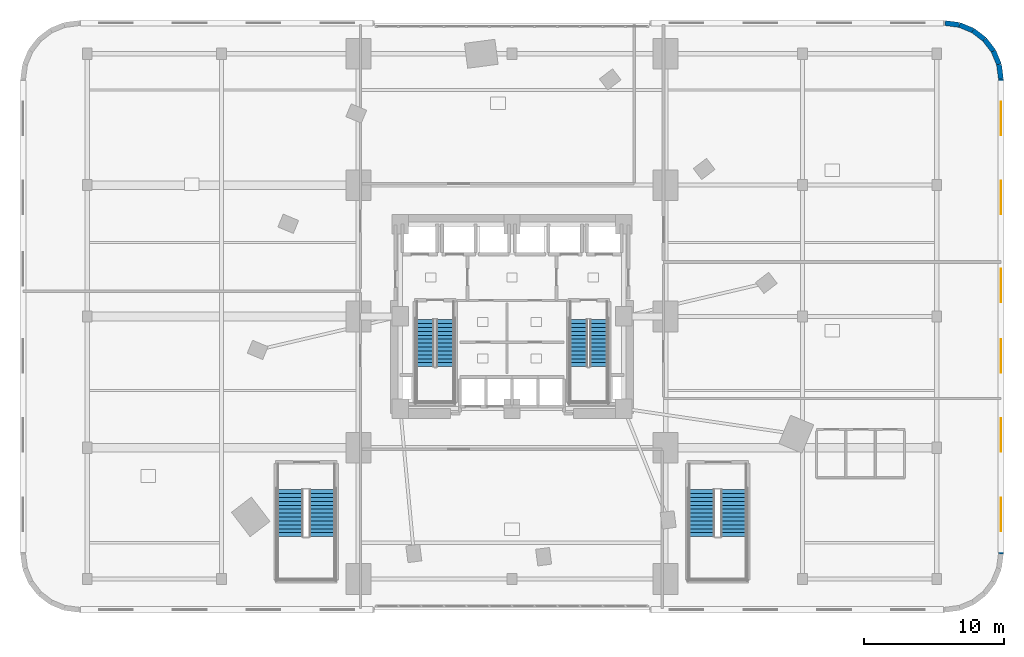
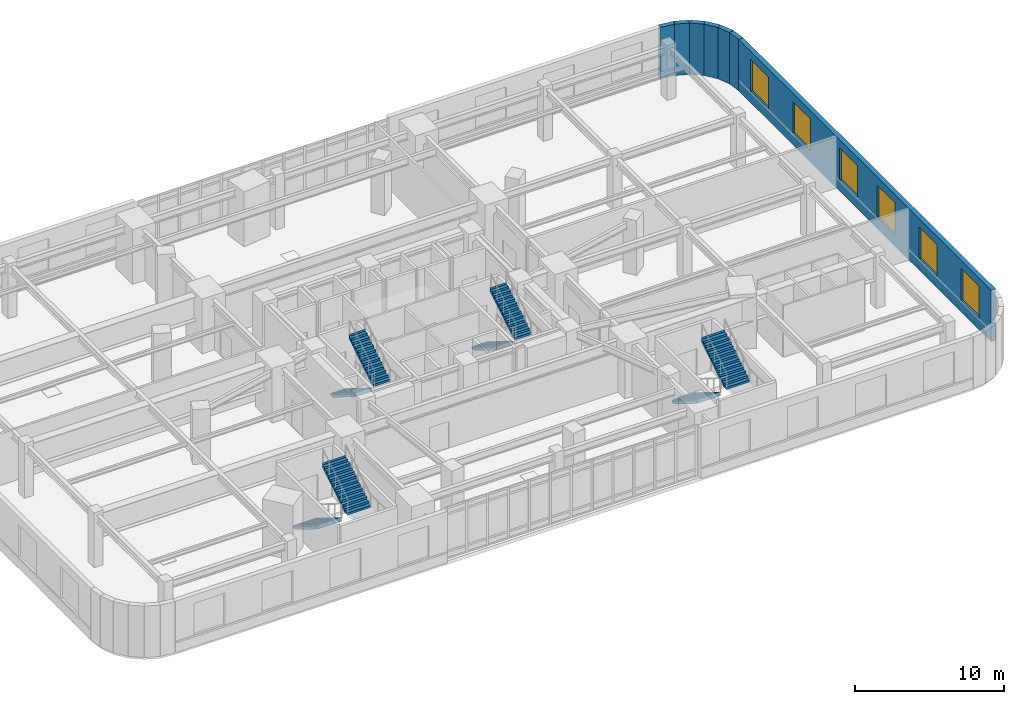
# One storey, part 16 of 19: 8 stair flights, 7 walls, 6 windows, 6 openings, 4 elements without a shape of their own.
"""IFC4 building model written with IfcOpenShell, lengths in metres."""

from ifc_helpers import new_model, si_unit, direction, frame, frame_2d, origin, place, context, subcontext, project, spatial, polyline, rectangle, outline, extrude, material, layer, layer_set, type_object, element, fill, aggregate, save


model = new_model("IFC4")

# Units and contexts
model_context = context("Model", 3, precision=1e-05, world=origin(), true_north=direction((0.0, 1.0)))
body_context = subcontext(model_context, "Body", "Model", "MODEL_VIEW")
ifc_project = project(units=[si_unit("LENGTHUNIT", "METRE"), si_unit("AREAUNIT", "SQUARE_METRE"), si_unit("VOLUMEUNIT", "CUBIC_METRE"), si_unit("PLANEANGLEUNIT", "RADIAN"), si_unit("MASSUNIT", "GRAM", prefix="KILO")], contexts=[model_context])

# Site, building, storey
site_placement = place(None, origin())
site = spatial("IfcSite", under=ifc_project, at=site_placement, CompositionType="ELEMENT")
building_placement = place(site_placement, origin())
building = spatial("IfcBuilding", under=site, at=building_placement, Name="Ndelora Gate Hotel", CompositionType="ELEMENT")
storey_placement = place(building_placement, frame((0.0, 0.0, 21.5)))
storey = spatial("IfcBuildingStorey", under=building, at=storey_placement, Name="L04", CompositionType="ELEMENT", Elevation=21.5)

# Wall, openings, windows
ifc_material_1 = material(Name="Clay Brick Masonry", Category="masonry")
ifc_layer = layer(ifc_material_1, 0.360107421875)
ifc_layer_set = layer_set([ifc_layer], Name="Clay Brick Masonry")
wall_type = type_object("IfcWallType", Name="WL-BRICK-360", PredefinedType="SOLIDWALL", material=ifc_layer_set)
wall_1_placement = place(storey_placement, frame((35.0, 17.0, 0.0), z_axis=(0.0, 0.0, 1.0), x_axis=(0.0, -1.0, 0.0)))
wall_1 = element("IfcWall", 1, at=wall_1_placement, inside=storey, type_object=wall_type, Name="L04 Exterior Brick Pier-and-Spandrel Wall 7", PredefinedType="SOLIDWALL", context=body_context, shape_type="SweptSolid", body=[
    extrude(rectangle(XDim=34.0, YDim=0.360107421875, at=frame_2d((17.0, 0.0))), origin(), (0.0, 0.0, 1.0), 4.219970703125),
])
opening_1_placement = place(wall_1_placement, frame((1.63330078125, 0.0, 0.949951171875)))
opening_1 = element("IfcOpeningElement", 2, at=opening_1_placement, cuts=wall_1, Name="Opening W04", PredefinedType="OPENING", context=body_context, shape_type="SweptSolid", body=[
    extrude(rectangle(XDim=2.39990234375, YDim=2.60009765625, at=frame_2d((1.199951171875, 1.300048828125))), frame((0.0, 0.18994140625, 0.0), z_axis=(0.0, -1.0, 0.0), x_axis=(1.0, 0.0, 0.0)), (0.0, 0.0, 1.0), 0.380126953125),
])
opening_2_placement = place(wall_1_placement, frame((7.300048828125, 0.0, 0.949951171875)))
opening_2 = element("IfcOpeningElement", 3, at=opening_2_placement, cuts=wall_1, Name="Opening W04", PredefinedType="OPENING", context=body_context, shape_type="SweptSolid", body=[
    extrude(rectangle(XDim=2.39990234375, YDim=2.60009765625, at=frame_2d((1.199951171875, 1.300048828125))), frame((0.0, 0.18994140625, 0.0), z_axis=(0.0, -1.0, 0.0), x_axis=(1.0, 0.0, 0.0)), (0.0, 0.0, 1.0), 0.380126953125),
])
opening_3_placement = place(wall_1_placement, frame((13.60009765625, 0.0, 0.949951171875)))
opening_3 = element("IfcOpeningElement", 4, at=opening_3_placement, cuts=wall_1, Name="Opening W04", PredefinedType="OPENING", context=body_context, shape_type="SweptSolid", body=[
    extrude(rectangle(XDim=2.39990234375, YDim=2.60009765625, at=frame_2d((1.199951171875, 1.300048828125))), frame((0.0, 0.18994140625, 0.0), z_axis=(0.0, -1.0, 0.0), x_axis=(1.0, 0.0, 0.0)), (0.0, 0.0, 1.0), 0.380126953125),
])
opening_4_placement = place(wall_1_placement, frame((18.63330078125, 0.0, 0.949951171875)))
opening_4 = element("IfcOpeningElement", 5, at=opening_4_placement, cuts=wall_1, Name="Opening W04", PredefinedType="OPENING", context=body_context, shape_type="SweptSolid", body=[
    extrude(rectangle(XDim=2.39990234375, YDim=2.60009765625, at=frame_2d((1.199951171875, 1.300048828125))), frame((0.0, 0.18994140625, 0.0), z_axis=(0.0, -1.0, 0.0), x_axis=(1.0, 0.0, 0.0)), (0.0, 0.0, 1.0), 0.380126953125),
])
opening_5_placement = place(wall_1_placement, frame((24.300048828125, 0.0, 0.949951171875)))
opening_5 = element("IfcOpeningElement", 6, at=opening_5_placement, cuts=wall_1, Name="Opening W04", PredefinedType="OPENING", context=body_context, shape_type="SweptSolid", body=[
    extrude(rectangle(XDim=2.39990234375, YDim=2.60009765625, at=frame_2d((1.199951171875, 1.300048828125))), frame((0.0, 0.18994140625, 0.0), z_axis=(0.0, -1.0, 0.0), x_axis=(1.0, 0.0, 0.0)), (0.0, 0.0, 1.0), 0.380126953125),
])
opening_6_placement = place(wall_1_placement, frame((29.966796875, 0.0, 0.949951171875)))
opening_6 = element("IfcOpeningElement", 7, at=opening_6_placement, cuts=wall_1, Name="Opening W04", PredefinedType="OPENING", context=body_context, shape_type="SweptSolid", body=[
    extrude(rectangle(XDim=2.39990234375, YDim=2.60009765625, at=frame_2d((1.199951171875, 1.300048828125))), frame((0.0, 0.18994140625, 0.0), z_axis=(0.0, -1.0, 0.0), x_axis=(1.0, 0.0, 0.0)), (0.0, 0.0, 1.0), 0.380126953125),
])
ifc_material_2 = material(Name="Insulated Low-E Double Glazing in Bronze Aluminium Frame", Category="aluminium")
window_type = type_object("IfcWindowType", Name="WN-POD-2400", PartitioningType="SINGLE_PANEL", PredefinedType="WINDOW", material=ifc_material_2)
window_1_placement = place(opening_1_placement, origin())
window_1 = element("IfcWindow", 8, at=window_1_placement, inside=storey, type_object=window_type, Name="L04 Deep-Set Podium Brick-Frame Window W04", OverallHeight=2.60009765625, OverallWidth=2.39990234375, PartitioningType="SINGLE_PANEL", PredefinedType="WINDOW", context=body_context, shape_type="SweptSolid", body=[
    extrude(rectangle(XDim=2.39990234375, YDim=2.60009765625, at=frame_2d((1.199951171875, 1.300048828125))), frame((0.0, 0.030029296875, 0.0), z_axis=(0.0, -1.0, 0.0), x_axis=(1.0, 0.0, 0.0)), (0.0, 0.0, 1.0), 0.06005859375),
])
fill(opening_1, window_1)
window_2_placement = place(opening_2_placement, origin())
window_2 = element("IfcWindow", 9, at=window_2_placement, inside=storey, type_object=window_type, Name="L04 Deep-Set Podium Brick-Frame Window W04", OverallHeight=2.60009765625, OverallWidth=2.39990234375, PartitioningType="SINGLE_PANEL", PredefinedType="WINDOW", context=body_context, shape_type="SweptSolid", body=[
    extrude(rectangle(XDim=2.39990234375, YDim=2.60009765625, at=frame_2d((1.199951171875, 1.300048828125))), frame((0.0, 0.030029296875, 0.0), z_axis=(0.0, -1.0, 0.0), x_axis=(1.0, 0.0, 0.0)), (0.0, 0.0, 1.0), 0.06005859375),
])
fill(opening_2, window_2)
window_3_placement = place(opening_3_placement, origin())
window_3 = element("IfcWindow", 10, at=window_3_placement, inside=storey, type_object=window_type, Name="L04 Deep-Set Podium Brick-Frame Window W04", OverallHeight=2.60009765625, OverallWidth=2.39990234375, PartitioningType="SINGLE_PANEL", PredefinedType="WINDOW", context=body_context, shape_type="SweptSolid", body=[
    extrude(rectangle(XDim=2.39990234375, YDim=2.60009765625, at=frame_2d((1.199951171875, 1.300048828125))), frame((0.0, 0.030029296875, 0.0), z_axis=(0.0, -1.0, 0.0), x_axis=(1.0, 0.0, 0.0)), (0.0, 0.0, 1.0), 0.06005859375),
])
fill(opening_3, window_3)
window_4_placement = place(opening_4_placement, origin())
window_4 = element("IfcWindow", 11, at=window_4_placement, inside=storey, type_object=window_type, Name="L04 Deep-Set Podium Brick-Frame Window W04", OverallHeight=2.60009765625, OverallWidth=2.39990234375, PartitioningType="SINGLE_PANEL", PredefinedType="WINDOW", context=body_context, shape_type="SweptSolid", body=[
    extrude(rectangle(XDim=2.39990234375, YDim=2.60009765625, at=frame_2d((1.199951171875, 1.300048828125))), frame((0.0, 0.030029296875, 0.0), z_axis=(0.0, -1.0, 0.0), x_axis=(1.0, 0.0, 0.0)), (0.0, 0.0, 1.0), 0.06005859375),
])
fill(opening_4, window_4)
window_5_placement = place(opening_5_placement, origin())
window_5 = element("IfcWindow", 12, at=window_5_placement, inside=storey, type_object=window_type, Name="L04 Deep-Set Podium Brick-Frame Window W04", OverallHeight=2.60009765625, OverallWidth=2.39990234375, PartitioningType="SINGLE_PANEL", PredefinedType="WINDOW", context=body_context, shape_type="SweptSolid", body=[
    extrude(rectangle(XDim=2.39990234375, YDim=2.60009765625, at=frame_2d((1.199951171875, 1.300048828125))), frame((0.0, 0.030029296875, 0.0), z_axis=(0.0, -1.0, 0.0), x_axis=(1.0, 0.0, 0.0)), (0.0, 0.0, 1.0), 0.06005859375),
])
fill(opening_5, window_5)
window_6_placement = place(opening_6_placement, origin())
window_6 = element("IfcWindow", 13, at=window_6_placement, inside=storey, type_object=window_type, Name="L04 Deep-Set Podium Brick-Frame Window W04", OverallHeight=2.60009765625, OverallWidth=2.39990234375, PartitioningType="SINGLE_PANEL", PredefinedType="WINDOW", context=body_context, shape_type="SweptSolid", body=[
    extrude(rectangle(XDim=2.39990234375, YDim=2.60009765625, at=frame_2d((1.199951171875, 1.300048828125))), frame((0.0, 0.030029296875, 0.0), z_axis=(0.0, -1.0, 0.0), x_axis=(1.0, 0.0, 0.0)), (0.0, 0.0, 1.0), 0.06005859375),
])
fill(opening_6, window_6)

# Walls
wall_2_placement = place(storey_placement, frame((34.86376953125, 18.035400390625, 0.0), z_axis=(0.0, 0.0, 1.0), x_axis=(0.130448465198, -0.991455091231, 0.0)))
element("IfcWall", 14, at=wall_2_placement, inside=storey, type_object=wall_type, Name="L04 Exterior Brick Pier-and-Spandrel Wall 8", PredefinedType="SOLIDWALL", context=body_context, shape_type="SweptSolid", body=[
    extrude(rectangle(XDim=1.04443359375, YDim=0.360107421875, at=frame_2d((0.522216796875, 0.0))), origin(), (0.0, 0.0, 1.0), 4.219970703125),
])
for number, where, z_axis, x_axis, name in (
    (15, (34.464111328125, 19.0, 0.0), (0.0, 0.0, 1.0), (0.382771688877, -0.923842970528, 0.0), "L04 Exterior Brick Pier-and-Spandrel Wall 9"),
    (16, (33.828369140625, 19.828369140625, 0.0), (0.0, 0.0, 1.0), (0.608829050876, -0.793301447628, 0.0), "L04 Exterior Brick Pier-and-Spandrel Wall 10"),
    (17, (33.0, 20.464111328125, 0.0), (0.0, 0.0, 1.0), (0.793301447628, -0.608829050876, 0.0), "L04 Exterior Brick Pier-and-Spandrel Wall 11"),
    (18, (32.035400390625, 20.86376953125, 0.0), (0.0, 0.0, 1.0), (0.923842970528, -0.382771688877, 0.0), "L04 Exterior Brick Pier-and-Spandrel Wall 12"),
):
    element("IfcWall", number, at=place(storey_placement, frame(where, z_axis=z_axis, x_axis=x_axis)), inside=storey, type_object=wall_type, Name=name, PredefinedType="SOLIDWALL", context=body_context, shape_type="SweptSolid", body=[
        extrude(rectangle(XDim=1.044189453125, YDim=0.360107421875, at=frame_2d((0.52197265625, 0.0))), origin(), (0.0, 0.0, 1.0), 4.219970703125),
    ])
wall_3_placement = place(storey_placement, frame((31.0, 21.0, 0.0), z_axis=(0.0, 0.0, 1.0), x_axis=(0.991455091231, -0.130448465198, 0.0)))
element("IfcWall", 19, at=wall_3_placement, inside=storey, type_object=wall_type, Name="L04 Exterior Brick Pier-and-Spandrel Wall 13", PredefinedType="SOLIDWALL", context=body_context, shape_type="SweptSolid", body=[
    extrude(rectangle(XDim=1.04443359375, YDim=0.360107421875, at=frame_2d((0.522216796875, 0.0))), origin(), (0.0, 0.0, 1.0), 4.219970703125),
])

# Stair, stair flights
ifc_material_3 = material(Name="Precast concrete C40/50", Category="concrete")
stair_type_1 = type_object("IfcStairType", Name="STR-DOG-CORE", PredefinedType="HALF_TURN_STAIR", material=ifc_material_3)
stair_1_placement = place(storey_placement, origin())
stair_1 = element("IfcStair", 20, at=stair_1_placement, inside=storey, type_object=stair_type_1, Name="L04 Protected Core Exit Stair ST4", PredefinedType="HALF_TURN_STAIR")
stair_flight_type_1 = type_object("IfcStairFlightType", Name="STF-PRECAST", PredefinedType="STRAIGHT", material=ifc_material_3)
stair_flight_1_placement = place(storey_placement, frame((-6.2099609375, -0.22998046875, 0.0), z_axis=(0.0, 0.0, 1.0), x_axis=(0.0, -1.0, 0.0)))
stair_flight_1 = element("IfcStairFlight", 21, at=stair_flight_1_placement, type_object=stair_flight_type_1, Name="ST4 flight 1", NumberOfRisers=13, NumberOfTreads=12, PredefinedType="STRAIGHT", RiserHeight=0.173076923, TreadLength=0.28, context=body_context, shape_type="SweptSolid", body=[
    extrude(outline(polyline([(-0.00048828125, 0.0), (-0.00048828125, 0.173095703125), (0.0, 0.173095703125), (0.280029296875, 0.173095703125), (0.280029296875, 0.34619140625), (0.56005859375, 0.34619140625), (0.56005859375, 0.519287109375), (0.840087890625, 0.519287109375), (0.840087890625, 0.6923828125), (1.1201171875, 0.6923828125), (1.1201171875, 0.865478515625), (1.39990234375, 0.865478515625), (1.39990234375, 1.03857421875), (1.679931640625, 1.03857421875), (1.679931640625, 1.21142578125), (1.9599609375, 1.21142578125), (1.9599609375, 1.384521484375), (2.239990234375, 1.384521484375), (2.239990234375, 1.5576171875), (2.52001953125, 1.5576171875), (2.52001953125, 1.730712890625), (2.800048828125, 1.730712890625), (2.800048828125, 1.90380859375), (3.080078125, 1.90380859375), (3.080078125, 2.076904296875), (3.360107421875, 2.076904296875), (3.360107421875, 2.25), (3.360595703125, 2.25), (3.360595703125, 2.070068359375), (3.360107421875, 1.900634765625), (0.28515625, 0.0), (-0.00048828125, 0.0)])), frame((0.0, 0.64013671875, 0.0), z_axis=(0.0, -1.0, 0.0), x_axis=(1.0, 0.0, 0.0)), (0.0, 0.0, 1.0), 1.280029296875),
])
stair_flight_2_placement = place(storey_placement, frame((-4.77001953125, -3.590087890625, 2.25), z_axis=(0.0, 0.0, 1.0), x_axis=(0.0, 1.0, 0.0)))
stair_flight_2 = element("IfcStairFlight", 22, at=stair_flight_2_placement, type_object=stair_flight_type_1, Name="ST4 flight 2", NumberOfRisers=13, NumberOfTreads=12, PredefinedType="STRAIGHT", RiserHeight=0.173076923, TreadLength=0.28, context=body_context, shape_type="SweptSolid", body=[
    extrude(outline(polyline([(-0.00048828125, 0.0), (-0.00048828125, 0.173095703125), (0.0, 0.173095703125), (0.280029296875, 0.173095703125), (0.280029296875, 0.34619140625), (0.56005859375, 0.34619140625), (0.56005859375, 0.519287109375), (0.840087890625, 0.519287109375), (0.840087890625, 0.6923828125), (1.1201171875, 0.6923828125), (1.1201171875, 0.865478515625), (1.39990234375, 0.865478515625), (1.39990234375, 1.03857421875), (1.679931640625, 1.03857421875), (1.679931640625, 1.21142578125), (1.9599609375, 1.21142578125), (1.9599609375, 1.384521484375), (2.239990234375, 1.384521484375), (2.239990234375, 1.5576171875), (2.52001953125, 1.5576171875), (2.52001953125, 1.730712890625), (2.800048828125, 1.730712890625), (2.800048828125, 1.90380859375), (3.080078125, 1.90380859375), (3.080078125, 2.076904296875), (3.360107421875, 2.076904296875), (3.360107421875, 2.25), (3.360595703125, 2.25), (3.360595703125, 2.070068359375), (3.360107421875, 1.900634765625), (0.28515625, 0.0), (-0.00048828125, 0.0)])), frame((0.0, 0.64013671875, 0.0), z_axis=(0.0, -1.0, 0.0), x_axis=(1.0, 0.0, 0.0)), (0.0, 0.0, 1.0), 1.280029296875),
])
aggregate(stair_1, [stair_flight_1, stair_flight_2])

stair_2_placement = place(storey_placement, origin())
stair_2 = element("IfcStair", 23, at=stair_2_placement, inside=storey, type_object=stair_type_1, Name="L04 Protected Core Exit Stair ST5", PredefinedType="HALF_TURN_STAIR")
stair_flight_3_placement = place(storey_placement, frame((4.77001953125, -0.22998046875, 0.0), z_axis=(0.0, 0.0, 1.0), x_axis=(0.0, -1.0, 0.0)))
stair_flight_3 = element("IfcStairFlight", 24, at=stair_flight_3_placement, type_object=stair_flight_type_1, Name="ST5 flight 1", NumberOfRisers=13, NumberOfTreads=12, PredefinedType="STRAIGHT", RiserHeight=0.173076923, TreadLength=0.28, context=body_context, shape_type="SweptSolid", body=[
    extrude(outline(polyline([(-0.00048828125, 0.0), (-0.00048828125, 0.173095703125), (0.0, 0.173095703125), (0.280029296875, 0.173095703125), (0.280029296875, 0.34619140625), (0.56005859375, 0.34619140625), (0.56005859375, 0.519287109375), (0.840087890625, 0.519287109375), (0.840087890625, 0.6923828125), (1.1201171875, 0.6923828125), (1.1201171875, 0.865478515625), (1.39990234375, 0.865478515625), (1.39990234375, 1.03857421875), (1.679931640625, 1.03857421875), (1.679931640625, 1.21142578125), (1.9599609375, 1.21142578125), (1.9599609375, 1.384521484375), (2.239990234375, 1.384521484375), (2.239990234375, 1.5576171875), (2.52001953125, 1.5576171875), (2.52001953125, 1.730712890625), (2.800048828125, 1.730712890625), (2.800048828125, 1.90380859375), (3.080078125, 1.90380859375), (3.080078125, 2.076904296875), (3.360107421875, 2.076904296875), (3.360107421875, 2.25), (3.360595703125, 2.25), (3.360595703125, 2.070068359375), (3.360107421875, 1.900634765625), (0.28515625, 0.0), (-0.00048828125, 0.0)])), frame((0.0, 0.64013671875, 0.0), z_axis=(0.0, -1.0, 0.0), x_axis=(1.0, 0.0, 0.0)), (0.0, 0.0, 1.0), 1.280029296875),
])
stair_flight_4_placement = place(storey_placement, frame((6.2099609375, -3.590087890625, 2.25), z_axis=(0.0, 0.0, 1.0), x_axis=(0.0, 1.0, 0.0)))
stair_flight_4 = element("IfcStairFlight", 25, at=stair_flight_4_placement, type_object=stair_flight_type_1, Name="ST5 flight 2", NumberOfRisers=13, NumberOfTreads=12, PredefinedType="STRAIGHT", RiserHeight=0.173076923, TreadLength=0.28, context=body_context, shape_type="SweptSolid", body=[
    extrude(outline(polyline([(-0.00048828125, 0.0), (-0.00048828125, 0.173095703125), (0.0, 0.173095703125), (0.280029296875, 0.173095703125), (0.280029296875, 0.34619140625), (0.56005859375, 0.34619140625), (0.56005859375, 0.519287109375), (0.840087890625, 0.519287109375), (0.840087890625, 0.6923828125), (1.1201171875, 0.6923828125), (1.1201171875, 0.865478515625), (1.39990234375, 0.865478515625), (1.39990234375, 1.03857421875), (1.679931640625, 1.03857421875), (1.679931640625, 1.21142578125), (1.9599609375, 1.21142578125), (1.9599609375, 1.384521484375), (2.239990234375, 1.384521484375), (2.239990234375, 1.5576171875), (2.52001953125, 1.5576171875), (2.52001953125, 1.730712890625), (2.800048828125, 1.730712890625), (2.800048828125, 1.90380859375), (3.080078125, 1.90380859375), (3.080078125, 2.076904296875), (3.360107421875, 2.076904296875), (3.360107421875, 2.25), (3.360595703125, 2.25), (3.360595703125, 2.070068359375), (3.360107421875, 1.900634765625), (0.28515625, 0.0), (-0.00048828125, 0.0)])), frame((0.0, 0.64013671875, 0.0), z_axis=(0.0, -1.0, 0.0), x_axis=(1.0, 0.0, 0.0)), (0.0, 0.0, 1.0), 1.280029296875),
])
aggregate(stair_2, [stair_flight_3, stair_flight_4])

stair_type_2 = type_object("IfcStairType", Name="STR-DOG-POD", PredefinedType="HALF_TURN_STAIR", material=ifc_material_3)
stair_3_placement = place(storey_placement, origin())
stair_3 = element("IfcStair", 26, at=stair_3_placement, inside=storey, type_object=stair_type_2, Name="L04 Podium Ballroom Exit Stair ST3A", PredefinedType="HALF_TURN_STAIR")
stair_flight_type_2 = type_object("IfcStairFlightType", Name="STF-PRECAST-WIDE", PredefinedType="STRAIGHT", material=ifc_material_3)
stair_flight_5_placement = place(storey_placement, frame((-15.875, -12.39990234375, 0.0), z_axis=(0.0, 0.0, 1.0), x_axis=(0.0, -1.0, 0.0)))
stair_flight_5 = element("IfcStairFlight", 27, at=stair_flight_5_placement, type_object=stair_flight_type_2, Name="ST3A flight 1", NumberOfRisers=13, NumberOfTreads=12, PredefinedType="STRAIGHT", RiserHeight=0.173076923, TreadLength=0.28, context=body_context, shape_type="SweptSolid", body=[
    extrude(outline(polyline([(-0.00048828125, 0.0), (-0.00048828125, 0.173095703125), (0.0, 0.173095703125), (0.280029296875, 0.173095703125), (0.280029296875, 0.34619140625), (0.56005859375, 0.34619140625), (0.56005859375, 0.519287109375), (0.840087890625, 0.519287109375), (0.840087890625, 0.6923828125), (1.1201171875, 0.6923828125), (1.1201171875, 0.865478515625), (1.39990234375, 0.865478515625), (1.39990234375, 1.03857421875), (1.679931640625, 1.03857421875), (1.679931640625, 1.21142578125), (1.9599609375, 1.21142578125), (1.9599609375, 1.384521484375), (2.239990234375, 1.384521484375), (2.239990234375, 1.5576171875), (2.52001953125, 1.5576171875), (2.52001953125, 1.730712890625), (2.800048828125, 1.730712890625), (2.800048828125, 1.90380859375), (3.080078125, 1.90380859375), (3.080078125, 2.076904296875), (3.360107421875, 2.076904296875), (3.360107421875, 2.25), (3.360595703125, 2.25), (3.360595703125, 2.070068359375), (3.360107421875, 1.900634765625), (0.28515625, 0.0), (-0.00048828125, 0.0)])), frame((0.0, 0.925048828125, 0.0), z_axis=(0.0, -1.0, 0.0), x_axis=(1.0, 0.0, 0.0)), (0.0, 0.0, 1.0), 1.85009765625),
])
stair_flight_6_placement = place(storey_placement, frame((-13.5849609375, -15.760009765625, 2.25), z_axis=(0.0, 0.0, 1.0), x_axis=(0.0, 1.0, 0.0)))
stair_flight_6 = element("IfcStairFlight", 28, at=stair_flight_6_placement, type_object=stair_flight_type_2, Name="ST3A flight 2", NumberOfRisers=13, NumberOfTreads=12, PredefinedType="STRAIGHT", RiserHeight=0.173076923, TreadLength=0.28, context=body_context, shape_type="SweptSolid", body=[
    extrude(outline(polyline([(-0.00048828125, 0.0), (-0.00048828125, 0.173095703125), (0.0, 0.173095703125), (0.280029296875, 0.173095703125), (0.280029296875, 0.34619140625), (0.56005859375, 0.34619140625), (0.56005859375, 0.519287109375), (0.840087890625, 0.519287109375), (0.840087890625, 0.6923828125), (1.1201171875, 0.6923828125), (1.1201171875, 0.865478515625), (1.39990234375, 0.865478515625), (1.39990234375, 1.03857421875), (1.679931640625, 1.03857421875), (1.679931640625, 1.21142578125), (1.9599609375, 1.21142578125), (1.9599609375, 1.384521484375), (2.239990234375, 1.384521484375), (2.239990234375, 1.5576171875), (2.52001953125, 1.5576171875), (2.52001953125, 1.730712890625), (2.800048828125, 1.730712890625), (2.800048828125, 1.90380859375), (3.080078125, 1.90380859375), (3.080078125, 2.076904296875), (3.360107421875, 2.076904296875), (3.360107421875, 2.25), (3.360595703125, 2.25), (3.360595703125, 2.070068359375), (3.360107421875, 1.900634765625), (0.28515625, 0.0), (-0.00048828125, 0.0)])), frame((0.0, 0.925048828125, 0.0), z_axis=(0.0, -1.0, 0.0), x_axis=(1.0, 0.0, 0.0)), (0.0, 0.0, 1.0), 1.85009765625),
])
aggregate(stair_3, [stair_flight_5, stair_flight_6])

stair_4_placement = place(storey_placement, origin())
stair_4 = element("IfcStair", 29, at=stair_4_placement, inside=storey, type_object=stair_type_2, Name="L04 Podium Conference Exit Stair ST3B", PredefinedType="HALF_TURN_STAIR")
stair_flight_7_placement = place(storey_placement, frame((13.5849609375, -12.39990234375, 0.0), z_axis=(0.0, 0.0, 1.0), x_axis=(0.0, -1.0, 0.0)))
stair_flight_7 = element("IfcStairFlight", 30, at=stair_flight_7_placement, type_object=stair_flight_type_2, Name="ST3B flight 1", NumberOfRisers=13, NumberOfTreads=12, PredefinedType="STRAIGHT", RiserHeight=0.173076923, TreadLength=0.28, context=body_context, shape_type="SweptSolid", body=[
    extrude(outline(polyline([(-0.00048828125, 0.0), (-0.00048828125, 0.173095703125), (0.0, 0.173095703125), (0.280029296875, 0.173095703125), (0.280029296875, 0.34619140625), (0.56005859375, 0.34619140625), (0.56005859375, 0.519287109375), (0.840087890625, 0.519287109375), (0.840087890625, 0.6923828125), (1.1201171875, 0.6923828125), (1.1201171875, 0.865478515625), (1.39990234375, 0.865478515625), (1.39990234375, 1.03857421875), (1.679931640625, 1.03857421875), (1.679931640625, 1.21142578125), (1.9599609375, 1.21142578125), (1.9599609375, 1.384521484375), (2.239990234375, 1.384521484375), (2.239990234375, 1.5576171875), (2.52001953125, 1.5576171875), (2.52001953125, 1.730712890625), (2.800048828125, 1.730712890625), (2.800048828125, 1.90380859375), (3.080078125, 1.90380859375), (3.080078125, 2.076904296875), (3.360107421875, 2.076904296875), (3.360107421875, 2.25), (3.360595703125, 2.25), (3.360595703125, 2.070068359375), (3.360107421875, 1.900634765625), (0.28515625, 0.0), (-0.00048828125, 0.0)])), frame((0.0, 0.925048828125, 0.0), z_axis=(0.0, -1.0, 0.0), x_axis=(1.0, 0.0, 0.0)), (0.0, 0.0, 1.0), 1.85009765625),
])
stair_flight_8_placement = place(storey_placement, frame((15.875, -15.760009765625, 2.25), z_axis=(0.0, 0.0, 1.0), x_axis=(0.0, 1.0, 0.0)))
stair_flight_8 = element("IfcStairFlight", 31, at=stair_flight_8_placement, type_object=stair_flight_type_2, Name="ST3B flight 2", NumberOfRisers=13, NumberOfTreads=12, PredefinedType="STRAIGHT", RiserHeight=0.173076923, TreadLength=0.28, context=body_context, shape_type="SweptSolid", body=[
    extrude(outline(polyline([(-0.00048828125, 0.0), (-0.00048828125, 0.173095703125), (0.0, 0.173095703125), (0.280029296875, 0.173095703125), (0.280029296875, 0.34619140625), (0.56005859375, 0.34619140625), (0.56005859375, 0.519287109375), (0.840087890625, 0.519287109375), (0.840087890625, 0.6923828125), (1.1201171875, 0.6923828125), (1.1201171875, 0.865478515625), (1.39990234375, 0.865478515625), (1.39990234375, 1.03857421875), (1.679931640625, 1.03857421875), (1.679931640625, 1.21142578125), (1.9599609375, 1.21142578125), (1.9599609375, 1.384521484375), (2.239990234375, 1.384521484375), (2.239990234375, 1.5576171875), (2.52001953125, 1.5576171875), (2.52001953125, 1.730712890625), (2.800048828125, 1.730712890625), (2.800048828125, 1.90380859375), (3.080078125, 1.90380859375), (3.080078125, 2.076904296875), (3.360107421875, 2.076904296875), (3.360107421875, 2.25), (3.360595703125, 2.25), (3.360595703125, 2.070068359375), (3.360107421875, 1.900634765625), (0.28515625, 0.0), (-0.00048828125, 0.0)])), frame((0.0, 0.925048828125, 0.0), z_axis=(0.0, -1.0, 0.0), x_axis=(1.0, 0.0, 0.0)), (0.0, 0.0, 1.0), 1.85009765625),
])
aggregate(stair_4, [stair_flight_7, stair_flight_8])

save(model, "model.ifc")
